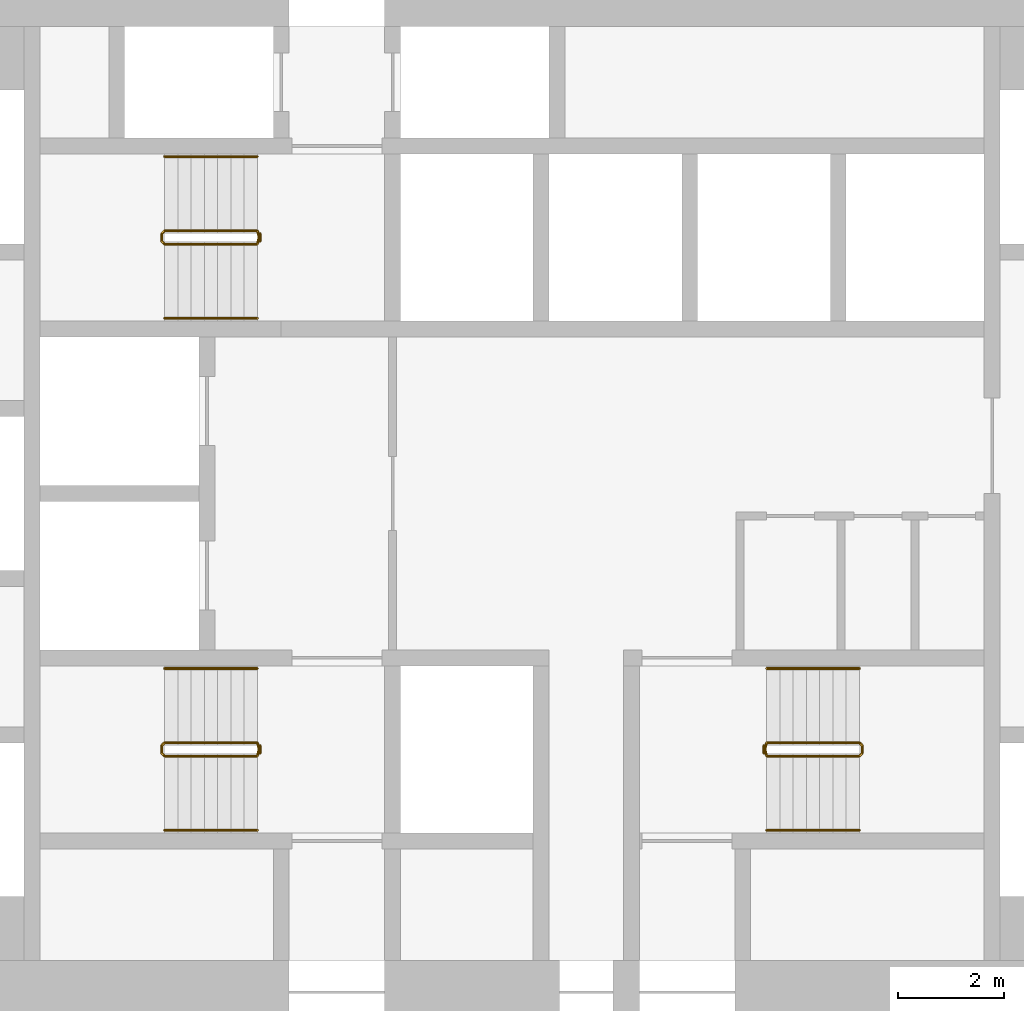
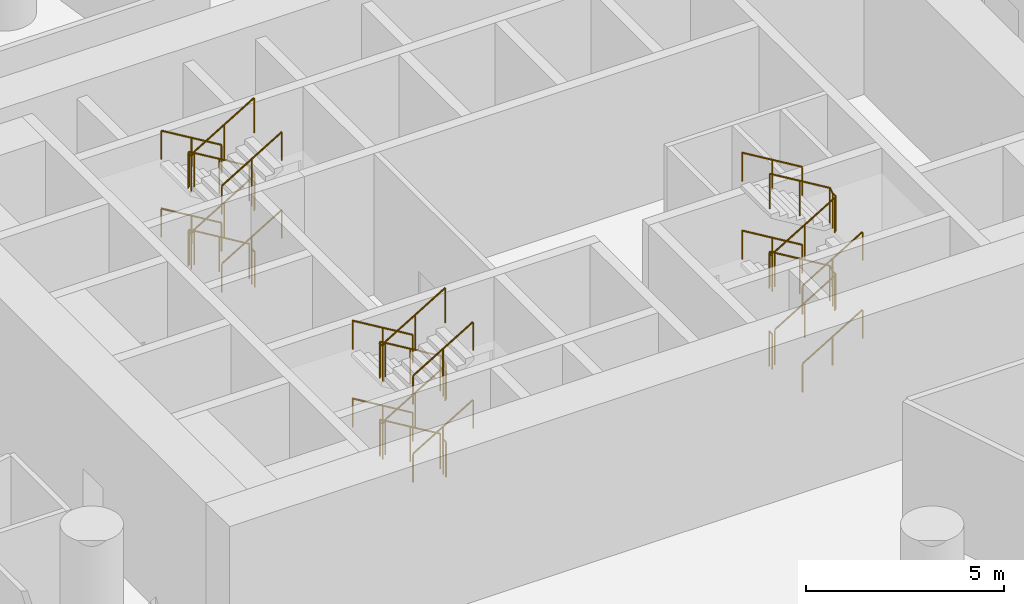
# One storey, part 11 of 11: 18 railings.
"""IFC4 building model written with IfcOpenShell, lengths in metres."""

from ifc_helpers import new_model, si_unit, direction, frame, origin, origin_2d, place, context, subcontext, project, spatial, circle, extrude, material, type_object, element, save


model = new_model("IFC4")

# Units and contexts
model_context = context("Model", 3, precision=1e-05, world=origin(), true_north=direction((0.0, 1.0)))
body_context = subcontext(model_context, "Body", "Model", "MODEL_VIEW")
ifc_project = project(units=[si_unit("LENGTHUNIT", "METRE"), si_unit("AREAUNIT", "SQUARE_METRE"), si_unit("VOLUMEUNIT", "CUBIC_METRE"), si_unit("PLANEANGLEUNIT", "RADIAN"), si_unit("MASSUNIT", "GRAM", prefix="KILO")], contexts=[model_context])

# Site, building, storey
site_placement = place(None, origin())
site = spatial("IfcSite", under=ifc_project, at=site_placement, CompositionType="ELEMENT")
building_placement = place(site_placement, origin())
building = spatial("IfcBuilding", under=site, at=building_placement, Name="Tracery Tower", CompositionType="ELEMENT")
storey_placement = place(building_placement, frame((0.0, 0.0, 9.0)))
storey = spatial("IfcBuildingStorey", under=building, at=storey_placement, Name="L01", CompositionType="ELEMENT", Elevation=9.0)

# Railings
ifc_material_1 = material(Name="Stainless steel and laminated glass", Category="steel")
railing_type_1 = type_object("IfcRailingType", Name="Stair guard 1100", PredefinedType="GUARDRAIL", material=ifc_material_1)
railing_1_placement = place(storey_placement, frame((-4.800048828125, -4.699951171875, 0.14990234375)))
element("IfcRailing", 1, at=railing_1_placement, inside=storey, type_object=railing_type_1, Name="L01 stair ST1 guard 1", PredefinedType="GUARDRAIL", context=body_context, shape_type="SweptSolid", body=[
    extrude(circle(Radius=0.02392578125, at=origin_2d()), frame((0.0, 0.0, 1.076171875), z_axis=(-0.857482370257, 0.0, 0.514513347444), x_axis=(0.0, -1.0, 0.0)), (0.0, 0.0, 1.0), 2.040771484375),
    extrude(circle(Radius=0.02392578125, at=origin_2d()), frame((-1.75, 0.0, 2.1259765625), z_axis=(-0.707106781187, -0.707106781187, 0.0), x_axis=(0.707106781187, -0.707106781187, 0.0)), (0.0, 0.0, 1.0), 0.07080078125),
    extrude(circle(Radius=0.02392578125, at=origin_2d()), frame((-1.800048828125, -0.050048828125, 2.1259765625), z_axis=(0.0, -1.0, 0.0), x_axis=(1.0, 0.0, 0.0)), (0.0, 0.0, 1.0), 0.14990234375),
    extrude(circle(Radius=0.02392578125, at=origin_2d()), frame((-1.800048828125, -0.199951171875, 2.1259765625), z_axis=(0.301511344578, -0.301511344578, 0.904534033733), x_axis=(0.707106781187, 0.707106781187, 0.0)), (0.0, 0.0, 1.0), 0.166015625),
    extrude(circle(Radius=0.02392578125, at=origin_2d()), frame((-1.75, -0.25, 2.2763671875), z_axis=(0.857535146522, 0.0, 0.514425380866), x_axis=(0.0, 1.0, 0.0)), (0.0, 0.0, 1.0), 2.040771484375),
    extrude(circle(Radius=0.02392578125, at=origin_2d()), frame((0.0, -0.25, 3.326171875), z_axis=(0.242814311512, 0.970072785993, 0.0), x_axis=(-0.970072785993, 0.242814311512, 0.0)), (0.0, 0.0, 1.0), 0.2060546875),
    extrude(circle(Radius=0.02392578125, at=origin_2d()), frame((0.050048828125, -0.050048828125, 3.326171875), z_axis=(0.0, -1.0, 0.0), x_axis=(1.0, 0.0, 0.0)), (0.0, 0.0, 1.0), 0.14990234375),
    extrude(circle(Radius=0.02392578125, at=origin_2d()), frame((0.050048828125, -0.199951171875, 3.326171875), z_axis=(-0.196263390168, 0.784096178282, 0.588790170505), x_axis=(-0.970072785993, -0.242814311512, 0.0)), (0.0, 0.0, 1.0), 0.255126953125),
    extrude(circle(Radius=0.02392578125, at=origin_2d()), frame((0.0, 0.0, 3.47607421875), z_axis=(-0.857482370257, 0.0, 0.514513347444), x_axis=(0.0, -1.0, 0.0)), (0.0, 0.0, 1.0), 2.040771484375),
    extrude(circle(Radius=0.02392578125, at=origin_2d()), frame((-1.75, 0.0, 4.5263671875), z_axis=(-0.707106781187, -0.707106781187, 0.0), x_axis=(0.707106781187, -0.707106781187, 0.0)), (0.0, 0.0, 1.0), 0.07080078125),
    extrude(circle(Radius=0.02392578125, at=origin_2d()), frame((-1.800048828125, -0.050048828125, 4.5263671875), z_axis=(0.0, -1.0, 0.0), x_axis=(1.0, 0.0, 0.0)), (0.0, 0.0, 1.0), 0.14990234375),
    extrude(circle(Radius=0.02392578125, at=origin_2d()), frame((-1.800048828125, -0.199951171875, 4.5263671875), z_axis=(0.301912943143, -0.301912943143, 0.904266083366), x_axis=(0.707106781187, 0.707106781187, 0.0)), (0.0, 0.0, 1.0), 0.165771484375),
    extrude(circle(Radius=0.02392578125, at=origin_2d()), frame((-1.75, -0.25, 4.67626953125), z_axis=(0.857482370257, 0.0, 0.514513347444), x_axis=(0.0, 1.0, 0.0)), (0.0, 0.0, 1.0), 2.040771484375),
    extrude(circle(Radius=0.02099609375, at=origin_2d()), origin(), (0.0, 0.0, 1.0), 1.052001953125),
    extrude(circle(Radius=0.02099609375, at=origin_2d()), frame((-0.875, 0.0, 0.52490234375)), (0.0, 0.0, 1.0), 1.052001953125),
    extrude(circle(Radius=0.02099609375, at=origin_2d()), frame((-1.75, 0.0, 1.050048828125)), (0.0, 0.0, 1.0), 1.052001953125),
    extrude(circle(Radius=0.02099609375, at=origin_2d()), frame((-1.800048828125, -0.050048828125, 1.050048828125)), (0.0, 0.0, 1.0), 1.052001953125),
    extrude(circle(Radius=0.02099609375, at=origin_2d()), frame((-1.800048828125, -0.199951171875, 1.050048828125)), (0.0, 0.0, 1.0), 1.052001953125),
    extrude(circle(Radius=0.02099609375, at=origin_2d()), frame((-1.75, -0.25, 1.2001953125)), (0.0, 0.0, 1.0), 1.052001953125),
    extrude(circle(Radius=0.02099609375, at=origin_2d()), frame((-0.875, -0.25, 1.72509765625)), (0.0, 0.0, 1.0), 1.052001953125),
    extrude(circle(Radius=0.02099609375, at=origin_2d()), frame((0.0, -0.25, 2.25)), (0.0, 0.0, 1.0), 1.052001953125),
    extrude(circle(Radius=0.02099609375, at=origin_2d()), frame((0.050048828125, -0.050048828125, 2.25)), (0.0, 0.0, 1.0), 1.052001953125),
    extrude(circle(Radius=0.02099609375, at=origin_2d()), frame((0.050048828125, -0.199951171875, 2.25)), (0.0, 0.0, 1.0), 1.052001953125),
    extrude(circle(Radius=0.02099609375, at=origin_2d()), frame((0.0, 0.0, 2.400146484375)), (0.0, 0.0, 1.0), 1.052001953125),
    extrude(circle(Radius=0.02099609375, at=origin_2d()), frame((-0.875, 0.0, 2.92529296875)), (0.0, 0.0, 1.0), 1.052001953125),
    extrude(circle(Radius=0.02099609375, at=origin_2d()), frame((-1.75, 0.0, 3.4501953125)), (0.0, 0.0, 1.0), 1.052001953125),
    extrude(circle(Radius=0.02099609375, at=origin_2d()), frame((-1.800048828125, -0.050048828125, 3.4501953125)), (0.0, 0.0, 1.0), 1.052001953125),
    extrude(circle(Radius=0.02099609375, at=origin_2d()), frame((-1.800048828125, -0.199951171875, 3.4501953125)), (0.0, 0.0, 1.0), 1.052001953125),
    extrude(circle(Radius=0.02099609375, at=origin_2d()), frame((-1.75, -0.25, 3.60009765625)), (0.0, 0.0, 1.0), 1.052001953125),
    extrude(circle(Radius=0.02099609375, at=origin_2d()), frame((-0.875, -0.25, 4.125)), (0.0, 0.0, 1.0), 1.052001953125),
    extrude(circle(Radius=0.02099609375, at=origin_2d()), frame((0.0, -0.25, 4.650146484375)), (0.0, 0.0, 1.0), 1.052001953125),
])
railing_2_placement = place(storey_placement, frame((-4.75, -4.75, 0.0)))
element("IfcRailing", 2, at=railing_2_placement, inside=storey, type_object=railing_type_1, Name="L01 stair ST1 guard 2", PredefinedType="GUARDRAIL", context=body_context, shape_type="SweptSolid", body=[
    extrude(circle(Radius=0.02392578125, at=origin_2d()), frame((0.0, 0.0, 1.076171875), z_axis=(0.0, -1.0, 0.0), x_axis=(1.0, 0.0, 0.0)), (0.0, 0.0, 1.0), 0.14990234375),
    extrude(circle(Radius=0.02099609375, at=origin_2d()), origin(), (0.0, 0.0, 1.0), 1.052001953125),
    extrude(circle(Radius=0.02099609375, at=origin_2d()), frame((0.0, -0.14990234375, 0.0)), (0.0, 0.0, 1.0), 1.052001953125),
])
railing_3_placement = place(storey_placement, frame((-4.800048828125, 4.949951171875, 0.14990234375)))
element("IfcRailing", 3, at=railing_3_placement, inside=storey, type_object=railing_type_1, Name="L01 stair ST3 guard 1", PredefinedType="GUARDRAIL", context=body_context, shape_type="SweptSolid", body=[
    extrude(circle(Radius=0.02392578125, at=origin_2d()), frame((0.0, 0.0, 1.076171875), z_axis=(-0.857482370257, 0.0, 0.514513347444), x_axis=(0.0, -1.0, 0.0)), (0.0, 0.0, 1.0), 2.040771484375),
    extrude(circle(Radius=0.02392578125, at=origin_2d()), frame((-1.75, 0.0, 2.1259765625), z_axis=(-0.707106781187, -0.707106781187, 0.0), x_axis=(0.707106781187, -0.707106781187, 0.0)), (0.0, 0.0, 1.0), 0.07080078125),
    extrude(circle(Radius=0.02392578125, at=origin_2d()), frame((-1.800048828125, -0.050048828125, 2.1259765625), z_axis=(0.0, -1.0, 0.0), x_axis=(1.0, 0.0, 0.0)), (0.0, 0.0, 1.0), 0.14990234375),
    extrude(circle(Radius=0.02392578125, at=origin_2d()), frame((-1.800048828125, -0.199951171875, 2.1259765625), z_axis=(0.301511344578, -0.301511344578, 0.904534033733), x_axis=(0.707106781187, 0.707106781187, 0.0)), (0.0, 0.0, 1.0), 0.166015625),
    extrude(circle(Radius=0.02392578125, at=origin_2d()), frame((-1.75, -0.25, 2.2763671875), z_axis=(0.857535146522, 0.0, 0.514425380866), x_axis=(0.0, 1.0, 0.0)), (0.0, 0.0, 1.0), 2.040771484375),
    extrude(circle(Radius=0.02392578125, at=origin_2d()), frame((0.0, -0.25, 3.326171875), z_axis=(0.242814311512, 0.970072785993, 0.0), x_axis=(-0.970072785993, 0.242814311512, 0.0)), (0.0, 0.0, 1.0), 0.2060546875),
    extrude(circle(Radius=0.02392578125, at=origin_2d()), frame((0.050048828125, -0.050048828125, 3.326171875), z_axis=(0.0, -1.0, 0.0), x_axis=(1.0, 0.0, 0.0)), (0.0, 0.0, 1.0), 0.14990234375),
    extrude(circle(Radius=0.02392578125, at=origin_2d()), frame((0.050048828125, -0.199951171875, 3.326171875), z_axis=(-0.196263390168, 0.784096178282, 0.588790170505), x_axis=(-0.970072785993, -0.242814311512, 0.0)), (0.0, 0.0, 1.0), 0.255126953125),
    extrude(circle(Radius=0.02392578125, at=origin_2d()), frame((0.0, 0.0, 3.47607421875), z_axis=(-0.857482370257, 0.0, 0.514513347444), x_axis=(0.0, -1.0, 0.0)), (0.0, 0.0, 1.0), 2.040771484375),
    extrude(circle(Radius=0.02392578125, at=origin_2d()), frame((-1.75, 0.0, 4.5263671875), z_axis=(-0.707106781187, -0.707106781187, 0.0), x_axis=(0.707106781187, -0.707106781187, 0.0)), (0.0, 0.0, 1.0), 0.07080078125),
    extrude(circle(Radius=0.02392578125, at=origin_2d()), frame((-1.800048828125, -0.050048828125, 4.5263671875), z_axis=(0.0, -1.0, 0.0), x_axis=(1.0, 0.0, 0.0)), (0.0, 0.0, 1.0), 0.14990234375),
    extrude(circle(Radius=0.02392578125, at=origin_2d()), frame((-1.800048828125, -0.199951171875, 4.5263671875), z_axis=(0.301912943143, -0.301912943143, 0.904266083366), x_axis=(0.707106781187, 0.707106781187, 0.0)), (0.0, 0.0, 1.0), 0.165771484375),
    extrude(circle(Radius=0.02392578125, at=origin_2d()), frame((-1.75, -0.25, 4.67626953125), z_axis=(0.857482370257, 0.0, 0.514513347444), x_axis=(0.0, 1.0, 0.0)), (0.0, 0.0, 1.0), 2.040771484375),
    extrude(circle(Radius=0.02099609375, at=origin_2d()), origin(), (0.0, 0.0, 1.0), 1.052001953125),
    extrude(circle(Radius=0.02099609375, at=origin_2d()), frame((-0.875, 0.0, 0.52490234375)), (0.0, 0.0, 1.0), 1.052001953125),
    extrude(circle(Radius=0.02099609375, at=origin_2d()), frame((-1.75, 0.0, 1.050048828125)), (0.0, 0.0, 1.0), 1.052001953125),
    extrude(circle(Radius=0.02099609375, at=origin_2d()), frame((-1.800048828125, -0.050048828125, 1.050048828125)), (0.0, 0.0, 1.0), 1.052001953125),
    extrude(circle(Radius=0.02099609375, at=origin_2d()), frame((-1.800048828125, -0.199951171875, 1.050048828125)), (0.0, 0.0, 1.0), 1.052001953125),
    extrude(circle(Radius=0.02099609375, at=origin_2d()), frame((-1.75, -0.25, 1.2001953125)), (0.0, 0.0, 1.0), 1.052001953125),
    extrude(circle(Radius=0.02099609375, at=origin_2d()), frame((-0.875, -0.25, 1.72509765625)), (0.0, 0.0, 1.0), 1.052001953125),
    extrude(circle(Radius=0.02099609375, at=origin_2d()), frame((0.0, -0.25, 2.25)), (0.0, 0.0, 1.0), 1.052001953125),
    extrude(circle(Radius=0.02099609375, at=origin_2d()), frame((0.050048828125, -0.050048828125, 2.25)), (0.0, 0.0, 1.0), 1.052001953125),
    extrude(circle(Radius=0.02099609375, at=origin_2d()), frame((0.050048828125, -0.199951171875, 2.25)), (0.0, 0.0, 1.0), 1.052001953125),
    extrude(circle(Radius=0.02099609375, at=origin_2d()), frame((0.0, 0.0, 2.400146484375)), (0.0, 0.0, 1.0), 1.052001953125),
    extrude(circle(Radius=0.02099609375, at=origin_2d()), frame((-0.875, 0.0, 2.92529296875)), (0.0, 0.0, 1.0), 1.052001953125),
    extrude(circle(Radius=0.02099609375, at=origin_2d()), frame((-1.75, 0.0, 3.4501953125)), (0.0, 0.0, 1.0), 1.052001953125),
    extrude(circle(Radius=0.02099609375, at=origin_2d()), frame((-1.800048828125, -0.050048828125, 3.4501953125)), (0.0, 0.0, 1.0), 1.052001953125),
    extrude(circle(Radius=0.02099609375, at=origin_2d()), frame((-1.800048828125, -0.199951171875, 3.4501953125)), (0.0, 0.0, 1.0), 1.052001953125),
    extrude(circle(Radius=0.02099609375, at=origin_2d()), frame((-1.75, -0.25, 3.60009765625)), (0.0, 0.0, 1.0), 1.052001953125),
    extrude(circle(Radius=0.02099609375, at=origin_2d()), frame((-0.875, -0.25, 4.125)), (0.0, 0.0, 1.0), 1.052001953125),
    extrude(circle(Radius=0.02099609375, at=origin_2d()), frame((0.0, -0.25, 4.650146484375)), (0.0, 0.0, 1.0), 1.052001953125),
])
railing_4_placement = place(storey_placement, frame((-4.75, 4.89990234375, 0.0)))
element("IfcRailing", 4, at=railing_4_placement, inside=storey, type_object=railing_type_1, Name="L01 stair ST3 guard 2", PredefinedType="GUARDRAIL", context=body_context, shape_type="SweptSolid", body=[
    extrude(circle(Radius=0.02392578125, at=origin_2d()), frame((0.0, 0.0, 1.076171875), z_axis=(0.0, -1.0, 0.0), x_axis=(1.0, 0.0, 0.0)), (0.0, 0.0, 1.0), 0.14990234375),
    extrude(circle(Radius=0.02099609375, at=origin_2d()), origin(), (0.0, 0.0, 1.0), 1.052001953125),
    extrude(circle(Radius=0.02099609375, at=origin_2d()), frame((0.0, -0.14990234375, 0.0)), (0.0, 0.0, 1.0), 1.052001953125),
])
railing_5_placement = place(storey_placement, frame((4.800048828125, -4.949951171875, 0.14990234375)))
element("IfcRailing", 5, at=railing_5_placement, inside=storey, type_object=railing_type_1, Name="L01 stair ST2 guard 1", PredefinedType="GUARDRAIL", context=body_context, shape_type="SweptSolid", body=[
    extrude(circle(Radius=0.02392578125, at=origin_2d()), frame((0.0, 0.0, 1.076171875), z_axis=(0.857482370257, 0.0, 0.514513347444), x_axis=(0.0, 1.0, 0.0)), (0.0, 0.0, 1.0), 2.040771484375),
    extrude(circle(Radius=0.02392578125, at=origin_2d()), frame((1.75, 0.0, 2.1259765625), z_axis=(0.707106781187, 0.707106781187, 0.0), x_axis=(-0.707106781187, 0.707106781187, 0.0)), (0.0, 0.0, 1.0), 0.07080078125),
    extrude(circle(Radius=0.02392578125, at=origin_2d()), frame((1.800048828125, 0.050048828125, 2.1259765625), z_axis=(0.0, 1.0, 0.0), x_axis=(-1.0, 0.0, 0.0)), (0.0, 0.0, 1.0), 0.14990234375),
    extrude(circle(Radius=0.02392578125, at=origin_2d()), frame((1.800048828125, 0.199951171875, 2.1259765625), z_axis=(-0.301511344578, 0.301511344578, 0.904534033733), x_axis=(-0.707106781187, -0.707106781187, 0.0)), (0.0, 0.0, 1.0), 0.166015625),
    extrude(circle(Radius=0.02392578125, at=origin_2d()), frame((1.75, 0.25, 2.2763671875), z_axis=(-0.857535146522, 0.0, 0.514425380866), x_axis=(0.0, -1.0, 0.0)), (0.0, 0.0, 1.0), 2.040771484375),
    extrude(circle(Radius=0.02392578125, at=origin_2d()), frame((0.0, 0.25, 3.326171875), z_axis=(-0.242814311512, -0.970072785993, 0.0), x_axis=(0.970072785993, -0.242814311512, 0.0)), (0.0, 0.0, 1.0), 0.2060546875),
    extrude(circle(Radius=0.02392578125, at=origin_2d()), frame((-0.050048828125, 0.050048828125, 3.326171875), z_axis=(0.0, 1.0, 0.0), x_axis=(-1.0, 0.0, 0.0)), (0.0, 0.0, 1.0), 0.14990234375),
    extrude(circle(Radius=0.02392578125, at=origin_2d()), frame((-0.050048828125, 0.199951171875, 3.326171875), z_axis=(0.196263390168, -0.784096178282, 0.588790170505), x_axis=(0.970072785993, 0.242814311512, 0.0)), (0.0, 0.0, 1.0), 0.255126953125),
    extrude(circle(Radius=0.02392578125, at=origin_2d()), frame((0.0, 0.0, 3.47607421875), z_axis=(0.857482370257, 0.0, 0.514513347444), x_axis=(0.0, 1.0, 0.0)), (0.0, 0.0, 1.0), 2.040771484375),
    extrude(circle(Radius=0.02392578125, at=origin_2d()), frame((1.75, 0.0, 4.5263671875), z_axis=(0.707106781187, 0.707106781187, 0.0), x_axis=(-0.707106781187, 0.707106781187, 0.0)), (0.0, 0.0, 1.0), 0.07080078125),
    extrude(circle(Radius=0.02392578125, at=origin_2d()), frame((1.800048828125, 0.050048828125, 4.5263671875), z_axis=(0.0, 1.0, 0.0), x_axis=(-1.0, 0.0, 0.0)), (0.0, 0.0, 1.0), 0.14990234375),
    extrude(circle(Radius=0.02392578125, at=origin_2d()), frame((1.800048828125, 0.199951171875, 4.5263671875), z_axis=(-0.301912943143, 0.301912943143, 0.904266083366), x_axis=(-0.707106781187, -0.707106781187, 0.0)), (0.0, 0.0, 1.0), 0.165771484375),
    extrude(circle(Radius=0.02392578125, at=origin_2d()), frame((1.75, 0.25, 4.67626953125), z_axis=(-0.857482370257, 0.0, 0.514513347444), x_axis=(0.0, -1.0, 0.0)), (0.0, 0.0, 1.0), 2.040771484375),
    extrude(circle(Radius=0.02099609375, at=origin_2d()), origin(), (0.0, 0.0, 1.0), 1.052001953125),
    extrude(circle(Radius=0.02099609375, at=origin_2d()), frame((0.875, 0.0, 0.52490234375)), (0.0, 0.0, 1.0), 1.052001953125),
    extrude(circle(Radius=0.02099609375, at=origin_2d()), frame((1.75, 0.0, 1.050048828125)), (0.0, 0.0, 1.0), 1.052001953125),
    extrude(circle(Radius=0.02099609375, at=origin_2d()), frame((1.800048828125, 0.050048828125, 1.050048828125)), (0.0, 0.0, 1.0), 1.052001953125),
    extrude(circle(Radius=0.02099609375, at=origin_2d()), frame((1.800048828125, 0.199951171875, 1.050048828125)), (0.0, 0.0, 1.0), 1.052001953125),
    extrude(circle(Radius=0.02099609375, at=origin_2d()), frame((1.75, 0.25, 1.2001953125)), (0.0, 0.0, 1.0), 1.052001953125),
    extrude(circle(Radius=0.02099609375, at=origin_2d()), frame((0.875, 0.25, 1.72509765625)), (0.0, 0.0, 1.0), 1.052001953125),
    extrude(circle(Radius=0.02099609375, at=origin_2d()), frame((0.0, 0.25, 2.25)), (0.0, 0.0, 1.0), 1.052001953125),
    extrude(circle(Radius=0.02099609375, at=origin_2d()), frame((-0.050048828125, 0.050048828125, 2.25)), (0.0, 0.0, 1.0), 1.052001953125),
    extrude(circle(Radius=0.02099609375, at=origin_2d()), frame((-0.050048828125, 0.199951171875, 2.25)), (0.0, 0.0, 1.0), 1.052001953125),
    extrude(circle(Radius=0.02099609375, at=origin_2d()), frame((0.0, 0.0, 2.400146484375)), (0.0, 0.0, 1.0), 1.052001953125),
    extrude(circle(Radius=0.02099609375, at=origin_2d()), frame((0.875, 0.0, 2.92529296875)), (0.0, 0.0, 1.0), 1.052001953125),
    extrude(circle(Radius=0.02099609375, at=origin_2d()), frame((1.75, 0.0, 3.4501953125)), (0.0, 0.0, 1.0), 1.052001953125),
    extrude(circle(Radius=0.02099609375, at=origin_2d()), frame((1.800048828125, 0.050048828125, 3.4501953125)), (0.0, 0.0, 1.0), 1.052001953125),
    extrude(circle(Radius=0.02099609375, at=origin_2d()), frame((1.800048828125, 0.199951171875, 3.4501953125)), (0.0, 0.0, 1.0), 1.052001953125),
    extrude(circle(Radius=0.02099609375, at=origin_2d()), frame((1.75, 0.25, 3.60009765625)), (0.0, 0.0, 1.0), 1.052001953125),
    extrude(circle(Radius=0.02099609375, at=origin_2d()), frame((0.875, 0.25, 4.125)), (0.0, 0.0, 1.0), 1.052001953125),
    extrude(circle(Radius=0.02099609375, at=origin_2d()), frame((0.0, 0.25, 4.650146484375)), (0.0, 0.0, 1.0), 1.052001953125),
])
railing_6_placement = place(storey_placement, frame((4.75, -4.89990234375, 0.0)))
element("IfcRailing", 6, at=railing_6_placement, inside=storey, type_object=railing_type_1, Name="L01 stair ST2 guard 2", PredefinedType="GUARDRAIL", context=body_context, shape_type="SweptSolid", body=[
    extrude(circle(Radius=0.02392578125, at=origin_2d()), frame((0.0, 0.0, 1.076171875), z_axis=(0.0, 1.0, 0.0), x_axis=(-1.0, 0.0, 0.0)), (0.0, 0.0, 1.0), 0.14990234375),
    extrude(circle(Radius=0.02099609375, at=origin_2d()), origin(), (0.0, 0.0, 1.0), 1.052001953125),
    extrude(circle(Radius=0.02099609375, at=origin_2d()), frame((0.0, 0.14990234375, 0.0)), (0.0, 0.0, 1.0), 1.052001953125),
])
ifc_material_2 = material(Name="Stainless steel and laminated glass", Category="steel")
railing_type_2 = type_object("IfcRailingType", Name="Stair handrail 900", PredefinedType="HANDRAIL", material=ifc_material_2)
railing_7_placement = place(storey_placement, frame((-4.800048828125, -3.300048828125, 0.14990234375)))
element("IfcRailing", 7, at=railing_7_placement, inside=storey, type_object=railing_type_2, Name="L01 stair ST1 handrail 1", PredefinedType="HANDRAIL", context=body_context, shape_type="SweptSolid", body=[
    extrude(circle(Radius=0.02392578125, at=origin_2d()), frame((0.0, 0.0, 0.8759765625), z_axis=(-0.857482370257, 0.0, 0.514513347444), x_axis=(0.0, -1.0, 0.0)), (0.0, 0.0, 1.0), 2.040771484375),
    extrude(circle(Radius=0.02099609375, at=origin_2d()), origin(), (0.0, 0.0, 1.0), 0.851806640625),
    extrude(circle(Radius=0.02099609375, at=origin_2d()), frame((-0.875, 0.0, 0.52490234375)), (0.0, 0.0, 1.0), 0.851806640625),
    extrude(circle(Radius=0.02099609375, at=origin_2d()), frame((-1.75, 0.0, 1.050048828125)), (0.0, 0.0, 1.0), 0.851806640625),
])
railing_8_placement = place(storey_placement, frame((-6.550048828125, -6.35009765625, 1.35009765625)))
element("IfcRailing", 8, at=railing_8_placement, inside=storey, type_object=railing_type_2, Name="L01 stair ST1 handrail 2", PredefinedType="HANDRAIL", context=body_context, shape_type="SweptSolid", body=[
    extrude(circle(Radius=0.02392578125, at=origin_2d()), frame((0.0, 0.0, 0.8759765625), z_axis=(0.857535146522, 0.0, 0.514425380866), x_axis=(0.0, 1.0, 0.0)), (0.0, 0.0, 1.0), 2.040771484375),
    extrude(circle(Radius=0.02099609375, at=origin_2d()), origin(), (0.0, 0.0, 1.0), 0.851806640625),
    extrude(circle(Radius=0.02099609375, at=origin_2d()), frame((0.875, 0.0, 0.52490234375)), (0.0, 0.0, 1.0), 0.851806640625),
    extrude(circle(Radius=0.02099609375, at=origin_2d()), frame((1.75, 0.0, 1.0498046875)), (0.0, 0.0, 1.0), 0.851806640625),
])
railing_9_placement = place(storey_placement, frame((-4.800048828125, -3.300048828125, 2.550048828125)))
element("IfcRailing", 9, at=railing_9_placement, inside=storey, type_object=railing_type_2, Name="L01 stair ST1 handrail 3", PredefinedType="HANDRAIL", context=body_context, shape_type="SweptSolid", body=[
    extrude(circle(Radius=0.02392578125, at=origin_2d()), frame((0.0, 0.0, 0.8759765625), z_axis=(-0.857482370257, 0.0, 0.514513347444), x_axis=(0.0, -1.0, 0.0)), (0.0, 0.0, 1.0), 2.040771484375),
    extrude(circle(Radius=0.02099609375, at=origin_2d()), origin(), (0.0, 0.0, 1.0), 0.851806640625),
    extrude(circle(Radius=0.02099609375, at=origin_2d()), frame((-0.875, 0.0, 0.52490234375)), (0.0, 0.0, 1.0), 0.851806640625),
    extrude(circle(Radius=0.02099609375, at=origin_2d()), frame((-1.75, 0.0, 1.050048828125)), (0.0, 0.0, 1.0), 0.851806640625),
])
railing_10_placement = place(storey_placement, frame((-6.550048828125, -6.35009765625, 3.75)))
element("IfcRailing", 10, at=railing_10_placement, inside=storey, type_object=railing_type_2, Name="L01 stair ST1 handrail 4", PredefinedType="HANDRAIL", context=body_context, shape_type="SweptSolid", body=[
    extrude(circle(Radius=0.02392578125, at=origin_2d()), frame((0.0, 0.0, 0.8759765625), z_axis=(0.857482370257, 0.0, 0.514513347444), x_axis=(0.0, 1.0, 0.0)), (0.0, 0.0, 1.0), 2.040771484375),
    extrude(circle(Radius=0.02099609375, at=origin_2d()), origin(), (0.0, 0.0, 1.0), 0.851806640625),
    extrude(circle(Radius=0.02099609375, at=origin_2d()), frame((0.875, 0.0, 0.52490234375)), (0.0, 0.0, 1.0), 0.851806640625),
    extrude(circle(Radius=0.02099609375, at=origin_2d()), frame((1.75, 0.0, 1.050048828125)), (0.0, 0.0, 1.0), 0.851806640625),
])
railing_11_placement = place(storey_placement, frame((-4.800048828125, 6.35009765625, 0.14990234375)))
element("IfcRailing", 11, at=railing_11_placement, inside=storey, type_object=railing_type_2, Name="L01 stair ST3 handrail 1", PredefinedType="HANDRAIL", context=body_context, shape_type="SweptSolid", body=[
    extrude(circle(Radius=0.02392578125, at=origin_2d()), frame((0.0, 0.0, 0.8759765625), z_axis=(-0.857482370257, 0.0, 0.514513347444), x_axis=(0.0, -1.0, 0.0)), (0.0, 0.0, 1.0), 2.040771484375),
    extrude(circle(Radius=0.02099609375, at=origin_2d()), origin(), (0.0, 0.0, 1.0), 0.851806640625),
    extrude(circle(Radius=0.02099609375, at=origin_2d()), frame((-0.875, 0.0, 0.52490234375)), (0.0, 0.0, 1.0), 0.851806640625),
    extrude(circle(Radius=0.02099609375, at=origin_2d()), frame((-1.75, 0.0, 1.050048828125)), (0.0, 0.0, 1.0), 0.851806640625),
])
railing_12_placement = place(storey_placement, frame((-6.550048828125, 3.300048828125, 1.35009765625)))
element("IfcRailing", 12, at=railing_12_placement, inside=storey, type_object=railing_type_2, Name="L01 stair ST3 handrail 2", PredefinedType="HANDRAIL", context=body_context, shape_type="SweptSolid", body=[
    extrude(circle(Radius=0.02392578125, at=origin_2d()), frame((0.0, 0.0, 0.8759765625), z_axis=(0.857535146522, 0.0, 0.514425380866), x_axis=(0.0, 1.0, 0.0)), (0.0, 0.0, 1.0), 2.040771484375),
    extrude(circle(Radius=0.02099609375, at=origin_2d()), origin(), (0.0, 0.0, 1.0), 0.851806640625),
    extrude(circle(Radius=0.02099609375, at=origin_2d()), frame((0.875, 0.0, 0.52490234375)), (0.0, 0.0, 1.0), 0.851806640625),
    extrude(circle(Radius=0.02099609375, at=origin_2d()), frame((1.75, 0.0, 1.0498046875)), (0.0, 0.0, 1.0), 0.851806640625),
])
railing_13_placement = place(storey_placement, frame((-4.800048828125, 6.35009765625, 2.550048828125)))
element("IfcRailing", 13, at=railing_13_placement, inside=storey, type_object=railing_type_2, Name="L01 stair ST3 handrail 3", PredefinedType="HANDRAIL", context=body_context, shape_type="SweptSolid", body=[
    extrude(circle(Radius=0.02392578125, at=origin_2d()), frame((0.0, 0.0, 0.8759765625), z_axis=(-0.857482370257, 0.0, 0.514513347444), x_axis=(0.0, -1.0, 0.0)), (0.0, 0.0, 1.0), 2.040771484375),
    extrude(circle(Radius=0.02099609375, at=origin_2d()), origin(), (0.0, 0.0, 1.0), 0.851806640625),
    extrude(circle(Radius=0.02099609375, at=origin_2d()), frame((-0.875, 0.0, 0.52490234375)), (0.0, 0.0, 1.0), 0.851806640625),
    extrude(circle(Radius=0.02099609375, at=origin_2d()), frame((-1.75, 0.0, 1.050048828125)), (0.0, 0.0, 1.0), 0.851806640625),
])
for number, where, name in (
    (14, (-6.550048828125, 3.300048828125, 3.75), "L01 stair ST3 handrail 4"),
    (15, (4.800048828125, -6.35009765625, 0.14990234375), "L01 stair ST2 handrail 1"),
):
    element("IfcRailing", number, at=place(storey_placement, frame(where)), inside=storey, type_object=railing_type_2, Name=name, PredefinedType="HANDRAIL", context=body_context, shape_type="SweptSolid", body=[
        extrude(circle(Radius=0.02392578125, at=origin_2d()), frame((0.0, 0.0, 0.8759765625), z_axis=(0.857482370257, 0.0, 0.514513347444), x_axis=(0.0, 1.0, 0.0)), (0.0, 0.0, 1.0), 2.040771484375),
        extrude(circle(Radius=0.02099609375, at=origin_2d()), origin(), (0.0, 0.0, 1.0), 0.851806640625),
        extrude(circle(Radius=0.02099609375, at=origin_2d()), frame((0.875, 0.0, 0.52490234375)), (0.0, 0.0, 1.0), 0.851806640625),
        extrude(circle(Radius=0.02099609375, at=origin_2d()), frame((1.75, 0.0, 1.050048828125)), (0.0, 0.0, 1.0), 0.851806640625),
    ])
railing_14_placement = place(storey_placement, frame((6.550048828125, -3.300048828125, 1.35009765625)))
element("IfcRailing", 16, at=railing_14_placement, inside=storey, type_object=railing_type_2, Name="L01 stair ST2 handrail 2", PredefinedType="HANDRAIL", context=body_context, shape_type="SweptSolid", body=[
    extrude(circle(Radius=0.02392578125, at=origin_2d()), frame((0.0, 0.0, 0.8759765625), z_axis=(-0.857535146522, 0.0, 0.514425380866), x_axis=(0.0, -1.0, 0.0)), (0.0, 0.0, 1.0), 2.040771484375),
    extrude(circle(Radius=0.02099609375, at=origin_2d()), origin(), (0.0, 0.0, 1.0), 0.851806640625),
    extrude(circle(Radius=0.02099609375, at=origin_2d()), frame((-0.875, 0.0, 0.52490234375)), (0.0, 0.0, 1.0), 0.851806640625),
    extrude(circle(Radius=0.02099609375, at=origin_2d()), frame((-1.75, 0.0, 1.0498046875)), (0.0, 0.0, 1.0), 0.851806640625),
])
railing_15_placement = place(storey_placement, frame((4.800048828125, -6.35009765625, 2.550048828125)))
element("IfcRailing", 17, at=railing_15_placement, inside=storey, type_object=railing_type_2, Name="L01 stair ST2 handrail 3", PredefinedType="HANDRAIL", context=body_context, shape_type="SweptSolid", body=[
    extrude(circle(Radius=0.02392578125, at=origin_2d()), frame((0.0, 0.0, 0.8759765625), z_axis=(0.857482370257, 0.0, 0.514513347444), x_axis=(0.0, 1.0, 0.0)), (0.0, 0.0, 1.0), 2.040771484375),
    extrude(circle(Radius=0.02099609375, at=origin_2d()), origin(), (0.0, 0.0, 1.0), 0.851806640625),
    extrude(circle(Radius=0.02099609375, at=origin_2d()), frame((0.875, 0.0, 0.52490234375)), (0.0, 0.0, 1.0), 0.851806640625),
    extrude(circle(Radius=0.02099609375, at=origin_2d()), frame((1.75, 0.0, 1.050048828125)), (0.0, 0.0, 1.0), 0.851806640625),
])
railing_16_placement = place(storey_placement, frame((6.550048828125, -3.300048828125, 3.75)))
element("IfcRailing", 18, at=railing_16_placement, inside=storey, type_object=railing_type_2, Name="L01 stair ST2 handrail 4", PredefinedType="HANDRAIL", context=body_context, shape_type="SweptSolid", body=[
    extrude(circle(Radius=0.02392578125, at=origin_2d()), frame((0.0, 0.0, 0.8759765625), z_axis=(-0.857482370257, 0.0, 0.514513347444), x_axis=(0.0, -1.0, 0.0)), (0.0, 0.0, 1.0), 2.040771484375),
    extrude(circle(Radius=0.02099609375, at=origin_2d()), origin(), (0.0, 0.0, 1.0), 0.851806640625),
    extrude(circle(Radius=0.02099609375, at=origin_2d()), frame((-0.875, 0.0, 0.52490234375)), (0.0, 0.0, 1.0), 0.851806640625),
    extrude(circle(Radius=0.02099609375, at=origin_2d()), frame((-1.75, 0.0, 1.050048828125)), (0.0, 0.0, 1.0), 0.851806640625),
])

save(model, "model.ifc")
